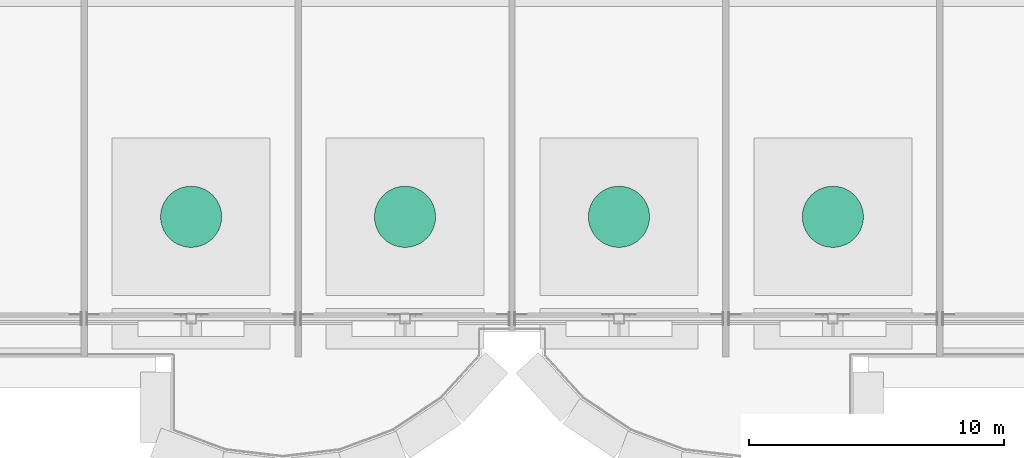
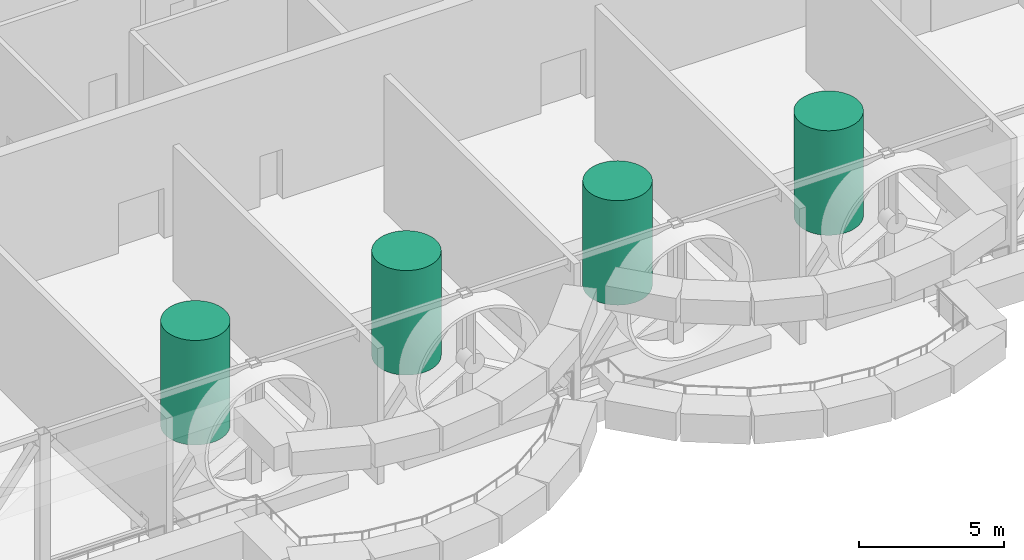
# One storey, part 14 of 15: 4 electric generators.
"""IFC4 building model written with IfcOpenShell, lengths in metres."""

from ifc_helpers import new_model, si_unit, direction, frame, origin, origin_2d, place, context, subcontext, project, spatial, circle, extrude, source, transform, mapped, material, material_profile, profile_set, type_object, element, save


model = new_model("IFC4")

# Units and contexts
model_context = context("Model", 3, precision=1e-05, world=origin(), true_north=direction((0.0, 1.0)))
body_context = subcontext(model_context, "Body", "Model", "MODEL_VIEW")
ifc_project = project(units=[si_unit("LENGTHUNIT", "METRE"), si_unit("AREAUNIT", "SQUARE_METRE"), si_unit("VOLUMEUNIT", "CUBIC_METRE"), si_unit("PLANEANGLEUNIT", "RADIAN"), si_unit("MASSUNIT", "GRAM", prefix="KILO")], contexts=[model_context])

# Site, building, storey
site_placement = place(None, origin())
site = spatial("IfcSite", under=ifc_project, at=site_placement, CompositionType="ELEMENT")
building_placement = place(site_placement, origin())
building = spatial("IfcBuilding", under=site, at=building_placement, Name="Vanashikhar Sky Hotel", CompositionType="ELEMENT")
storey_placement = place(building_placement, frame((0.0, 0.0, 317.699951171875)))
storey = spatial("IfcBuildingStorey", under=building, at=storey_placement, Name="L76", CompositionType="ELEMENT", Elevation=317.699951171875)

# Electric generators
ifc_material = material(Name="Aluminium", Category="aluminium")
ifc_material_profile = material_profile(ifc_material, circle(Radius=1.199951171875, at=origin_2d()))
ifc_profile_set = profile_set([ifc_material_profile], Name="Vertical-axis wind turbine")
electric_generator_type = type_object("IfcElectricGeneratorType", Name="Vertical-axis wind turbine", PredefinedType="NOTDEFINED", material=ifc_profile_set)
shared_shape = source(origin(), body_context, "Body", "SweptSolid", [
    extrude(circle(Radius=1.199951171875, at=origin_2d()), origin(), (0.0, 0.0, 1.0), 4.39990234375),
])
for number, where, z_axis, x_axis, name in (
    (1, (37.800048828125, 11.0, 0.60009765625), (0.0, 0.0, 1.0), (1.0, 0.0, 0.0), "WIND TURBINE 1"),
    (2, (46.199951171875, 11.0, 0.60009765625), (0.0, 0.0, 1.0), (1.0, 0.0, 0.0), "WIND TURBINE 2"),
    (3, (54.60009765625, 11.0, 0.60009765625), (0.0, 0.0, 1.0), (1.0, 0.0, 0.0), "WIND TURBINE 3"),
    (4, (63.0, 11.0, 0.60009765625), (0.0, 0.0, 1.0), (1.0, 0.0, 0.0), "WIND TURBINE 4"),
):
    element("IfcElectricGenerator", number, at=place(storey_placement, frame(where, z_axis=z_axis, x_axis=x_axis)), inside=storey, type_object=electric_generator_type, Name=name, PredefinedType="NOTDEFINED", context=body_context, shape_type="MappedRepresentation", body=[
        mapped(shared_shape, transform((0.0, 0.0, 0.0), scale=1.0)),
    ])

save(model, "model.ifc")
